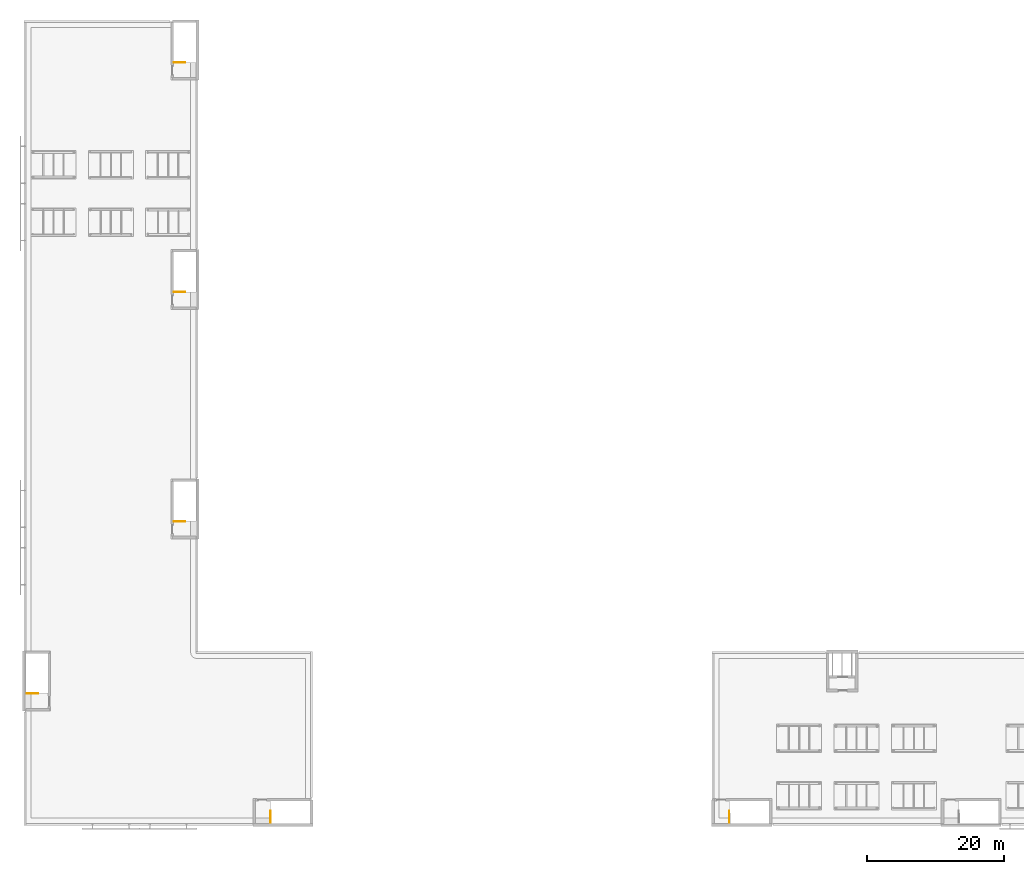
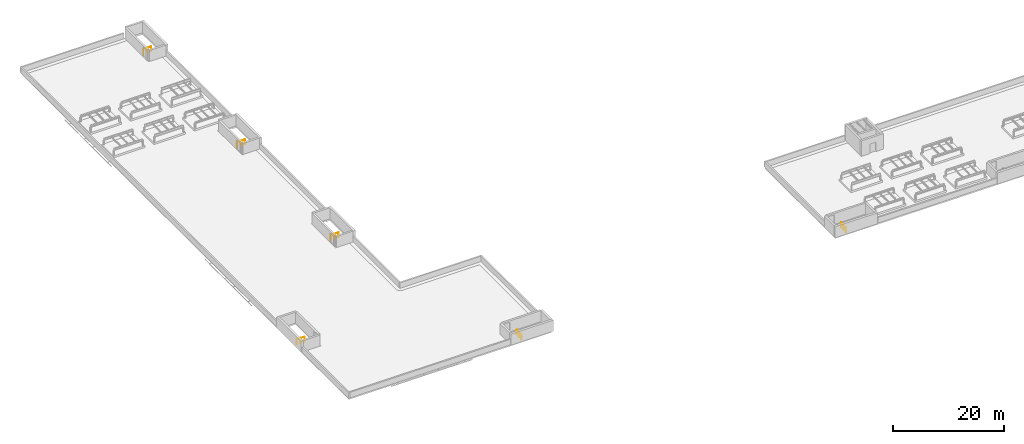
# One storey, part 17 of 18: 6 railings.
"""IFC4 building model written with IfcOpenShell, lengths in metres."""

from ifc_helpers import new_model, si_unit, direction, frame, origin, origin_2d, place, context, subcontext, project, spatial, circle, extrude, material, type_object, element, save


model = new_model("IFC4")

# Units and contexts
model_context = context("Model", 3, precision=1e-05, world=origin(), true_north=direction((0.0, 1.0)))
body_context = subcontext(model_context, "Body", "Model", "MODEL_VIEW")
ifc_project = project(units=[si_unit("LENGTHUNIT", "METRE"), si_unit("AREAUNIT", "SQUARE_METRE"), si_unit("VOLUMEUNIT", "CUBIC_METRE"), si_unit("PLANEANGLEUNIT", "RADIAN"), si_unit("MASSUNIT", "GRAM", prefix="KILO")], contexts=[model_context])

# Site, building, storey
site_placement = place(None, origin())
site = spatial("IfcSite", under=ifc_project, at=site_placement, CompositionType="ELEMENT")
building_placement = place(site_placement, origin())
building = spatial("IfcBuilding", under=site, at=building_placement, Name="Yavir Park General Hospital", CompositionType="ELEMENT")
storey_placement = place(building_placement, frame((0.0, 0.0, 29.699951171875)))
storey = spatial("IfcBuildingStorey", under=building, at=storey_placement, Name="RF", CompositionType="ELEMENT", Elevation=29.699951171875)

# Railings
ifc_material = material(Name="Steel balustrade with infill rods", Category="steel")
railing_type = type_object("IfcRailingType", Name="Stair guard, steel balustrade 1100 mm", PredefinedType="GUARDRAIL", material=ifc_material)
railing_placement = place(storey_placement, frame((0.280029296875, 19.169921875, 0.0)))
element("IfcRailing", 1, at=railing_placement, inside=storey, type_object=railing_type, Name="Stair well guard SU1 RF", PredefinedType="GUARDRAIL", context=body_context, shape_type="SweptSolid", body=[
    extrude(circle(Radius=0.02392578125, at=origin_2d()), frame((0.0, 0.0, 1.076171875), z_axis=(1.0, 0.0, 0.0), x_axis=(0.0, 1.0, 0.0)), (0.0, 0.0, 1.0), 1.669921875),
    extrude(circle(Radius=0.02099609375, at=origin_2d()), origin(), (0.0, 0.0, 1.0), 1.052001953125),
    extrude(circle(Radius=0.02099609375, at=origin_2d()), frame((0.8349609375, 0.0, 0.0)), (0.0, 0.0, 1.0), 1.052001953125),
    extrude(circle(Radius=0.02099609375, at=origin_2d()), frame((1.669921875, 0.0, 0.0)), (0.0, 0.0, 1.0), 1.052001953125),
])
for number, where, name in (
    (2, (35.969970703125, 0.280029296875, 0.0), "Stair well guard SU2 RF"),
    (3, (103.169921875, 0.280029296875, 0.0), "Stair well guard SU4 RF"),
):
    element("IfcRailing", number, at=place(storey_placement, frame(where)), inside=storey, type_object=railing_type, Name=name, PredefinedType="GUARDRAIL", context=body_context, shape_type="SweptSolid", body=[
        extrude(circle(Radius=0.02392578125, at=origin_2d()), frame((0.0, 0.0, 1.076171875), z_axis=(0.0, 1.0, 0.0), x_axis=(-1.0, 0.0, 0.0)), (0.0, 0.0, 1.0), 1.669921875),
        extrude(circle(Radius=0.02099609375, at=origin_2d()), origin(), (0.0, 0.0, 1.0), 1.052001953125),
        extrude(circle(Radius=0.02099609375, at=origin_2d()), frame((0.0, 0.8349609375, 0.0)), (0.0, 0.0, 1.0), 1.052001953125),
        extrude(circle(Radius=0.02099609375, at=origin_2d()), frame((0.0, 1.669921875, 0.0)), (0.0, 0.0, 1.0), 1.052001953125),
    ])
for number, where, name in (
    (4, (21.830078125, 44.3701171875, 0.0), "Stair well guard SW1 RF"),
    (5, (21.830078125, 77.969970703125, 0.0), "Stair well guard SW2 RF"),
    (6, (21.830078125, 111.570068359375, 0.0), "Stair well guard SW3 RF"),
):
    element("IfcRailing", number, at=place(storey_placement, frame(where)), inside=storey, type_object=railing_type, Name=name, PredefinedType="GUARDRAIL", context=body_context, shape_type="SweptSolid", body=[
        extrude(circle(Radius=0.02392578125, at=origin_2d()), frame((0.0, 0.0, 1.076171875), z_axis=(1.0, 0.0, 0.0), x_axis=(0.0, 1.0, 0.0)), (0.0, 0.0, 1.0), 1.669921875),
        extrude(circle(Radius=0.02099609375, at=origin_2d()), origin(), (0.0, 0.0, 1.0), 1.052001953125),
        extrude(circle(Radius=0.02099609375, at=origin_2d()), frame((0.8349609375, 0.0, 0.0)), (0.0, 0.0, 1.0), 1.052001953125),
        extrude(circle(Radius=0.02099609375, at=origin_2d()), frame((1.669921875, 0.0, 0.0)), (0.0, 0.0, 1.0), 1.052001953125),
    ])

save(model, "model.ifc")
